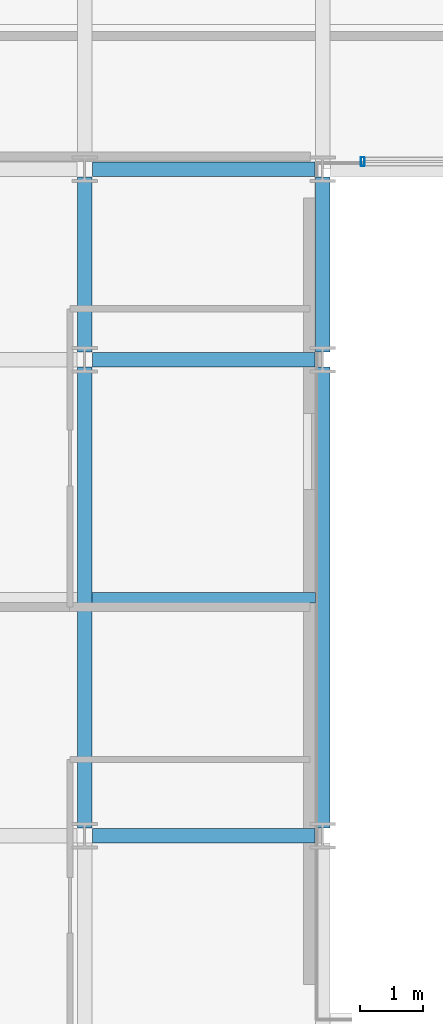
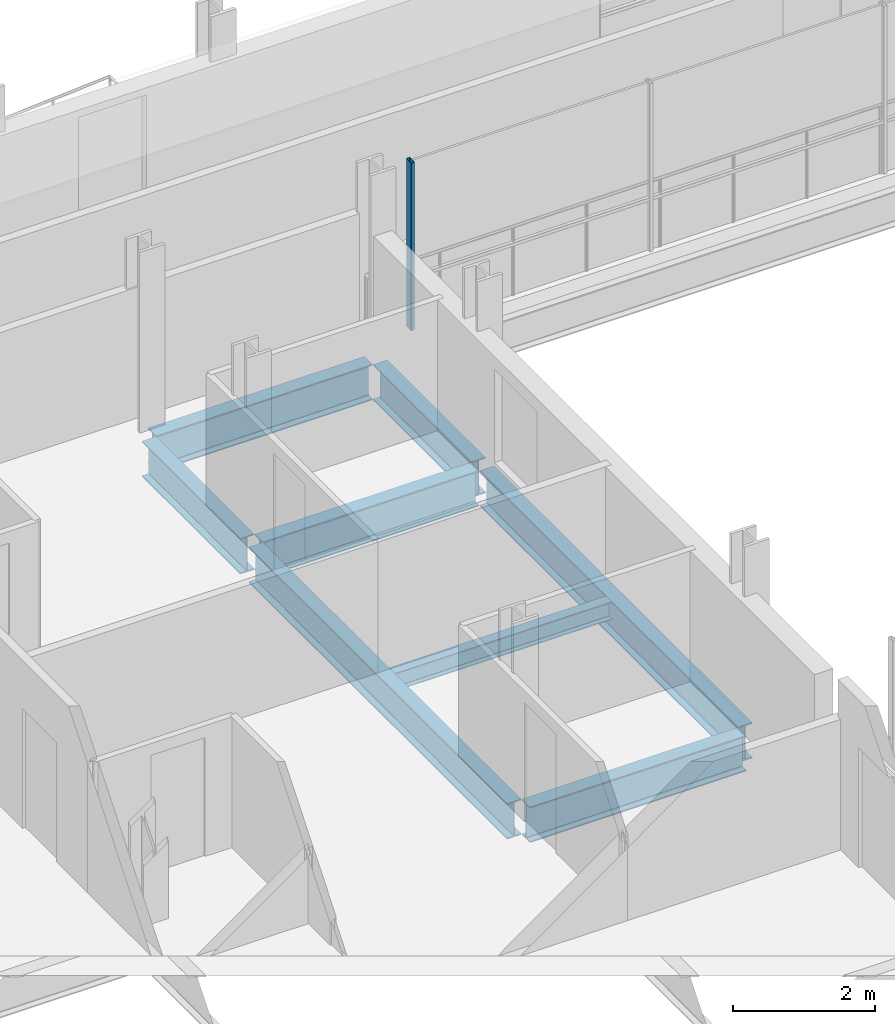
# One storey, part 8 of 39: 8 beams, 1 member, 1 element without a shape of its own.
"""IFC4 building model written with IfcOpenShell, lengths in metres."""

import ifcopenshell
import ifcopenshell.guid

model = None  # the IFC model being written
_history = None  # IfcOwnerHistory: only IFC2X3 demands one
_inside = {}  # id of a spatial element -> (the spatial element, [elements in it])
_under = {}  # id of a project, library or spatial element -> (it, [spatial elements below it])
_declared = {}  # id of a project -> (the project, [libraries it declares])
_typed = {}  # id of a type object -> (the type object, [elements of that type])
_made_of = {}  # id of a material, layer set ... -> (it, [elements and type objects made of it])


def new_model(schema):
    """Start an empty IFC model of exactly this schema.

    Asked for "IFC4X3", IfcOpenShell would pick the latest addendum, in which some entities
    have other attributes; the version numbers below select the first issue.
    IFC2X3 requires an IfcOwnerHistory on every rooted entity: one is made here for all.
    """
    global model, _history
    if schema == "IFC4X3":
        model = ifcopenshell.file(schema_version=(4, 3, 0, 0))
    else:
        model = ifcopenshell.file(schema=schema)
    _inside.clear()
    _under.clear()
    _declared.clear()
    _typed.clear()
    _made_of.clear()
    _history = None
    if model.schema == "IFC2X3":
        org = make("IfcOrganization", Name="unknown")
        user = make(
            "IfcPersonAndOrganization",
            ThePerson=make("IfcPerson", FamilyName="unknown"),
            TheOrganization=org,
        )
        app = make(
            "IfcApplication",
            ApplicationDeveloper=org,
            Version="unknown",
            ApplicationFullName="unknown",
            ApplicationIdentifier="unknown",
        )
        _history = make(
            "IfcOwnerHistory",
            OwningUser=user,
            OwningApplication=app,
            ChangeAction="ADDED",
            CreationDate=0,
        )
    return model


def make(cls, **values):
    """One entity of the class cls with the attributes given. An attribute that is None is left unset."""
    return model.create_entity(
        cls, **{name: value for name, value in values.items() if value is not None}
    )


def rooted(cls, **values):
    """An entity with a GlobalId (a new one), such as an element, a storey or a relation."""
    return make(cls, GlobalId=ifcopenshell.guid.new(), OwnerHistory=_history, **values)


def si_unit(unit_type, name, prefix=None):
    """IfcSIUnit, for example si_unit("LENGTHUNIT", "METRE", prefix="MILLI")."""
    return make("IfcSIUnit", UnitType=unit_type, Prefix=prefix, Name=name)


def assignment(units):
    """IfcUnitAssignment: the units of a project."""
    return None if units is None else make("IfcUnitAssignment", Units=units)


def point(xyz):
    """IfcCartesianPoint."""
    return None if xyz is None else make("IfcCartesianPoint", Coordinates=xyz)


def direction(xyz):
    """IfcDirection."""
    return None if xyz is None else make("IfcDirection", DirectionRatios=xyz)


def frame(location, z_axis=None, x_axis=None):
    """IfcAxis2Placement3D, a coordinate frame: its origin and axes. An axis left out is left unset."""
    return make(
        "IfcAxis2Placement3D",
        Location=point(location),
        Axis=direction(z_axis),
        RefDirection=direction(x_axis),
    )


def frame_2d(location, x_axis=None):
    """IfcAxis2Placement2D, a coordinate frame in the plane: its origin and x axis."""
    return make(
        "IfcAxis2Placement2D", Location=point(location), RefDirection=direction(x_axis)
    )


def origin():
    """The frame at (0, 0, 0) with its axes left unset."""
    return frame((0.0, 0.0, 0.0))


def origin_2d():
    """The frame at (0, 0) in the plane with its x axis left unset."""
    return frame_2d((0.0, 0.0))


def place(relative_to, where):
    """IfcLocalPlacement: puts the frame where relative to a parent placement (None: the world)."""
    return make(
        "IfcLocalPlacement", PlacementRelTo=relative_to, RelativePlacement=where
    )


def context(
    kind, dimensions, precision=None, world=None, true_north=None, identifier=None
):
    """IfcGeometricRepresentationContext, for example the 3D "Model" context."""
    return make(
        "IfcGeometricRepresentationContext",
        ContextIdentifier=identifier,
        ContextType=kind,
        CoordinateSpaceDimension=dimensions,
        Precision=precision,
        WorldCoordinateSystem=world,
        TrueNorth=true_north,
    )


def subcontext(parent, identifier, kind, view, scale=None):
    """IfcGeometricRepresentationSubContext, for example "Body" below "Model"."""
    return make(
        "IfcGeometricRepresentationSubContext",
        ContextIdentifier=identifier,
        ContextType=kind,
        ParentContext=parent,
        TargetScale=scale,
        TargetView=view,
    )


def project(units=None, contexts=None):
    """IfcProject with its units and contexts."""
    return rooted(
        "IfcProject",
        Name="project",
        RepresentationContexts=contexts,
        UnitsInContext=assignment(units),
    )


def spatial(cls, under=None, at=None, **own):
    """A site, building, storey or space (cls), placed at a placement, below another one or the project."""
    s = rooted(cls, ObjectPlacement=at, **own)
    if under is not None:
        _under.setdefault(under.id(), (under, []))[1].append(s)
    return s


def profile(cls, at=None, kind="AREA", **sizes):
    """A parametric profile (cls). Its sizes go by their IFC names, for example OverallWidth=200.0."""
    return make(cls, ProfileType=kind, Position=at, **sizes)


def hollow_rectangle(**sizes):
    """IfcRectangleHollowProfileDef."""
    return profile("IfcRectangleHollowProfileDef", **sizes)


def i_section(**sizes):
    """IfcIShapeProfileDef."""
    return profile("IfcIShapeProfileDef", **sizes)


def extrude(swept, where, along, depth):
    """IfcExtrudedAreaSolid: the profile swept, set in the frame where, extruded along a direction by depth."""
    return make(
        "IfcExtrudedAreaSolid",
        SweptArea=swept,
        Position=where,
        ExtrudedDirection=direction(along),
        Depth=depth,
    )


def shape(context_of_items, identifier, shape_type, items):
    """IfcShapeRepresentation: the items that make up one representation, for example the "Body"."""
    return make(
        "IfcShapeRepresentation",
        ContextOfItems=context_of_items,
        RepresentationIdentifier=identifier,
        RepresentationType=shape_type,
        Items=items,
    )


def material(Name=None, Category=None):
    """IfcMaterial."""
    return make("IfcMaterial", Name=Name, Category=Category)


def layer(
    of_material, thickness, ventilated=None, Name=None, Category=None, Priority=None
):
    """IfcMaterialLayer: one layer of a wall or slab, of a material (None: an air gap)."""
    return make(
        "IfcMaterialLayer",
        Material=of_material,
        LayerThickness=thickness,
        IsVentilated=ventilated,
        Name=Name,
        Category=Category,
        Priority=Priority,
    )


def layer_set(layers, Name=None):
    """IfcMaterialLayerSet."""
    return make("IfcMaterialLayerSet", MaterialLayers=layers, LayerSetName=Name)


def material_profile(
    of_material, cross_section, Name=None, Category=None, Priority=None
):
    """IfcMaterialProfile: a cross section and its material."""
    return make(
        "IfcMaterialProfile",
        Name=Name,
        Material=of_material,
        Profile=cross_section,
        Priority=Priority,
        Category=Category,
    )


def profile_set(profiles, Name=None, composite=None):
    """IfcMaterialProfileSet."""
    return make(
        "IfcMaterialProfileSet",
        Name=Name,
        MaterialProfiles=profiles,
        CompositeProfile=composite,
    )


def made_of(thing, what):
    """Note that an element or type object is made of a material, layer set ...; save() writes the relation."""
    if what is not None:
        _made_of.setdefault(what.id(), (what, []))[1].append(thing)
    return thing


def type_object(cls, material=None, **own):
    """A type object (cls), such as IfcWallType, which elements share."""
    return made_of(rooted(cls, **own), material)


def element(
    cls,
    number,
    at=None,
    inside=None,
    cuts=None,
    type_object=None,
    material=None,
    context=None,
    identifier="Body",
    shape_type=None,
    held_by="IfcProductDefinitionShape",
    body=None,
    shapes=None,
    **own,
):
    """One element of the class cls, such as IfcWall. Its Tag is "e" and its number.

    at: its placement. inside: the storey or other place that contains it. cuts: it is an
    opening in that element (IfcRelVoidsElement). A single representation is given by context,
    identifier, shape_type and body (its items); several are given by shapes. held_by: the class
    of the entity that holds the representations. save() writes the other relations.
    """
    e = rooted(cls, Tag="e%d" % number, ObjectPlacement=at, **own)
    if body is not None:
        shapes = [shape(context, identifier, shape_type, body)]
    if shapes is not None:
        e.Representation = make(held_by, Representations=shapes)
    if inside is not None:
        _inside.setdefault(inside.id(), (inside, []))[1].append(e)
    if cuts is not None:
        rooted(
            "IfcRelVoidsElement", RelatingBuildingElement=cuts, RelatedOpeningElement=e
        )
    if type_object is not None:
        _typed.setdefault(type_object.id(), (type_object, []))[1].append(e)
    return made_of(e, material)


def aggregate(whole, parts):
    """IfcRelAggregates: a whole, such as a stair, and the parts it consists of."""
    return rooted("IfcRelAggregates", RelatingObject=whole, RelatedObjects=parts)


def save(model, path):
    """Write the relations noted so far, then the file.

    IfcRelAggregates (storeys below a building ...), IfcRelContainedInSpatialStructure (elements
    in a storey), IfcRelDefinesByType, IfcRelAssociatesMaterial and IfcRelDeclares: one each for
    every whole, place, type object, material and project.
    """
    for whole, parts in _under.values():
        aggregate(whole, parts)
    for where, things in _inside.values():
        rooted(
            "IfcRelContainedInSpatialStructure",
            RelatedElements=things,
            RelatingStructure=where,
        )
    for kind, things in _typed.values():
        rooted("IfcRelDefinesByType", RelatedObjects=things, RelatingType=kind)
    for what, things in _made_of.values():
        rooted("IfcRelAssociatesMaterial", RelatedObjects=things, RelatingMaterial=what)
    for by, libraries in _declared.values():
        rooted("IfcRelDeclares", RelatingContext=by, RelatedDefinitions=libraries)
    model.write(path)


model = new_model("IFC4")

# Units and contexts
model_context = context("Model", 3, precision=1e-05, world=origin(), true_north=direction((0.0, 1.0)))
body_context = subcontext(model_context, "Body", "Model", "MODEL_VIEW")
ifc_project = project(units=[si_unit("LENGTHUNIT", "METRE"), si_unit("AREAUNIT", "SQUARE_METRE"), si_unit("VOLUMEUNIT", "CUBIC_METRE"), si_unit("PLANEANGLEUNIT", "RADIAN"), si_unit("MASSUNIT", "GRAM", prefix="KILO")], contexts=[model_context])

# Site, building, storey
site_placement = place(None, origin())
site = spatial("IfcSite", under=ifc_project, at=site_placement, CompositionType="ELEMENT")
building_placement = place(site_placement, origin())
building = spatial("IfcBuilding", under=site, at=building_placement, Name="Brevholm Reach", CompositionType="ELEMENT")
storey_placement = place(building_placement, frame((0.0, 0.0, 115.89990234375)))
storey = spatial("IfcBuildingStorey", under=building, at=storey_placement, Name="L34", CompositionType="ELEMENT", Elevation=115.89990234375)

# Beams
ifc_material_1 = material(Name="Structural Steel S355J2", Category="steel")
ifc_material_profile_1 = material_profile(ifc_material_1, i_section(OverallWidth=0.1650390625, OverallDepth=0.303466796875, WebThickness=0.006103515625, FlangeThickness=0.01025390625, FilletRadius=0.0087890625, at=origin_2d()), Name="UKB 305x165x40")
ifc_profile_set_1 = profile_set([ifc_material_profile_1], Name="Structural Steel S355J2")
beam_type_1 = type_object("IfcBeamType", Name="BM-B305", PredefinedType="BEAM", material=ifc_profile_set_1)
beam_1_placement = place(storey_placement, frame((18.114501953125, 19.75, -0.37158203125), z_axis=(1.0, 0.0, 0.0), x_axis=(0.0, 1.0, 0.0)))
element("IfcBeam", 1, at=beam_1_placement, inside=storey, type_object=beam_type_1, Name="L34 Composite Secondary Floor Beam", PredefinedType="BEAM", context=body_context, shape_type="SweptSolid", body=[
    extrude(i_section(OverallWidth=0.1650390625, OverallDepth=0.303466796875, WebThickness=0.006103515625, FlangeThickness=0.01025390625, FilletRadius=0.0087890625, at=origin_2d()), origin(), (0.0, 0.0, 1.0), 3.52099609375),
])
ifc_material_2 = material(Name="Structural Steel S355J2", Category="steel")
ifc_material_profile_2 = material_profile(ifc_material_2, i_section(OverallWidth=0.22900390625, OverallDepth=0.6123046875, WebThickness=0.011962890625, FlangeThickness=0.01953125, FilletRadius=0.0126953125, at=origin_2d()), Name="UKB 610x229x125")
ifc_profile_set_2 = profile_set([ifc_material_profile_2], Name="Structural Steel S355J2")
beam_type_2 = type_object("IfcBeamType", Name="BM-SP610", PredefinedType="SPANDREL", material=ifc_profile_set_2)
for number, where, z_axis, x_axis, name in (
    (2, (18.1201171875, 16.0, -0.526123046875), (1.0, 0.0, 0.0), (0.0, 1.0, 0.0), "L34 SP-01 Framing Beam"),
    (3, (18.1201171875, 23.5, -0.526123046875), (1.0, 0.0, 0.0), (0.0, 1.0, 0.0), "L34 SP-01 Framing Beam"),
    (4, (18.1201171875, 26.5, -0.526123046875), (1.0, 0.0, 0.0), (0.0, 1.0, 0.0), "L34 SP-01 Framing Beam"),
):
    element("IfcBeam", number, at=place(storey_placement, frame(where, z_axis=z_axis, x_axis=x_axis)), inside=storey, type_object=beam_type_2, Name=name, PredefinedType="SPANDREL", context=body_context, shape_type="SweptSolid", body=[
        extrude(i_section(OverallWidth=0.22900390625, OverallDepth=0.6123046875, WebThickness=0.011962890625, FlangeThickness=0.01953125, FilletRadius=0.0126953125, at=origin_2d()), origin(), (0.0, 0.0, 1.0), 3.509765625),
    ])
beam_2_placement = place(storey_placement, frame((18.0, 16.1201171875, -0.526123046875), z_axis=(0.0, 1.0, 0.0), x_axis=(-1.0, 0.0, 0.0)))
element("IfcBeam", 5, at=beam_2_placement, inside=storey, type_object=beam_type_2, Name="L34 SP-01 Framing Beam", PredefinedType="SPANDREL", context=body_context, shape_type="SweptSolid", body=[
    extrude(i_section(OverallWidth=0.22900390625, OverallDepth=0.6123046875, WebThickness=0.011962890625, FlangeThickness=0.01953125, FilletRadius=0.0126953125, at=origin_2d()), origin(), (0.0, 0.0, 1.0), 7.259765625),
])
beam_3_placement = place(storey_placement, frame((18.0, 23.6201171875, -0.526123046875), z_axis=(0.0, 1.0, 0.0), x_axis=(-1.0, 0.0, 0.0)))
element("IfcBeam", 6, at=beam_3_placement, inside=storey, type_object=beam_type_2, Name="L34 SP-01 Framing Beam", PredefinedType="SPANDREL", context=body_context, shape_type="SweptSolid", body=[
    extrude(i_section(OverallWidth=0.22900390625, OverallDepth=0.6123046875, WebThickness=0.011962890625, FlangeThickness=0.01953125, FilletRadius=0.0126953125, at=origin_2d()), origin(), (0.0, 0.0, 1.0), 2.759765625),
])
beam_4_placement = place(storey_placement, frame((21.75, 16.1201171875, -0.526123046875), z_axis=(0.0, 1.0, 0.0), x_axis=(-1.0, 0.0, 0.0)))
element("IfcBeam", 7, at=beam_4_placement, inside=storey, type_object=beam_type_2, Name="L34 SP-01 Framing Beam", PredefinedType="SPANDREL", context=body_context, shape_type="SweptSolid", body=[
    extrude(i_section(OverallWidth=0.22900390625, OverallDepth=0.6123046875, WebThickness=0.011962890625, FlangeThickness=0.01953125, FilletRadius=0.0126953125, at=origin_2d()), origin(), (0.0, 0.0, 1.0), 7.259765625),
])
beam_5_placement = place(storey_placement, frame((21.75, 23.6201171875, -0.526123046875), z_axis=(0.0, 1.0, 0.0), x_axis=(-1.0, 0.0, 0.0)))
element("IfcBeam", 8, at=beam_5_placement, inside=storey, type_object=beam_type_2, Name="L34 SP-01 Framing Beam", PredefinedType="SPANDREL", context=body_context, shape_type="SweptSolid", body=[
    extrude(i_section(OverallWidth=0.22900390625, OverallDepth=0.6123046875, WebThickness=0.011962890625, FlangeThickness=0.01953125, FilletRadius=0.0126953125, at=origin_2d()), origin(), (0.0, 0.0, 1.0), 2.759765625),
])

# Curtain wall, member
ifc_material_3 = material(Name="Dark Anodised Aluminium 6063-T6 and Solar-Control Glass", Category="aluminium")
ifc_layer = layer(ifc_material_3, 0.139892578125)
ifc_layer_set = layer_set([ifc_layer], Name="Dark Anodised Aluminium 6063-T6 and Solar-Control Glass")
curtain_wall_type = type_object("IfcCurtainWallType", Name="CW-02", PredefinedType="NOTDEFINED", material=ifc_layer_set)
curtain_wall_placement = place(storey_placement, origin())
curtain_wall = element("IfcCurtainWall", 9, at=curtain_wall_placement, inside=storey, type_object=curtain_wall_type, Name="L34 Curtain Wall CW-02", PredefinedType="NOTDEFINED")
ifc_material_4 = material(Name="Dark Anodised Aluminium 6063-T6", Category="aluminium")
ifc_material_profile_3 = material_profile(ifc_material_4, hollow_rectangle(XDim=0.06005859375, YDim=0.139892578125, WallThickness=0.0048828125, InnerFilletRadius=0.0048828125, OuterFilletRadius=0.010009765625, at=origin_2d()), Name="RHS 140x60x5")
ifc_profile_set_3 = profile_set([ifc_material_profile_3], Name="Dark Anodised Aluminium 6063-T6")
member_type = type_object("IfcMemberType", Name="CWM-140", PredefinedType="MULLION", material=ifc_profile_set_3)
member_placement = place(storey_placement, frame((22.3798828125, 26.6201171875, 0.0), z_axis=(0.0, 0.0, 1.0), x_axis=(-1.0, 0.0, 0.0)))
member = element("IfcMember", 10, at=member_placement, type_object=member_type, Name="CM-140 Mullion 5", PredefinedType="MULLION", context=body_context, shape_type="SweptSolid", body=[
    extrude(hollow_rectangle(XDim=0.06005859375, YDim=0.139892578125, WallThickness=0.0048828125, InnerFilletRadius=0.0048828125, OuterFilletRadius=0.010009765625, at=origin_2d()), origin(), (0.0, 0.0, 1.0), 2.880126953125),
])
aggregate(curtain_wall, [member])

save(model, "model.ifc")
